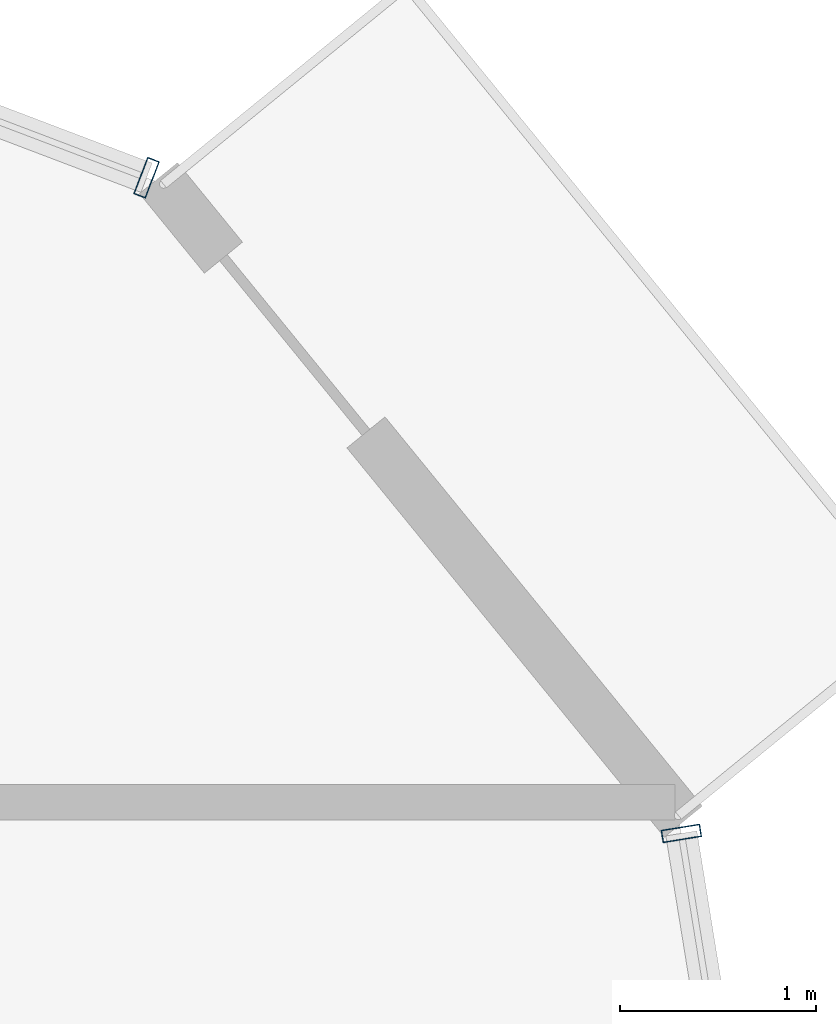
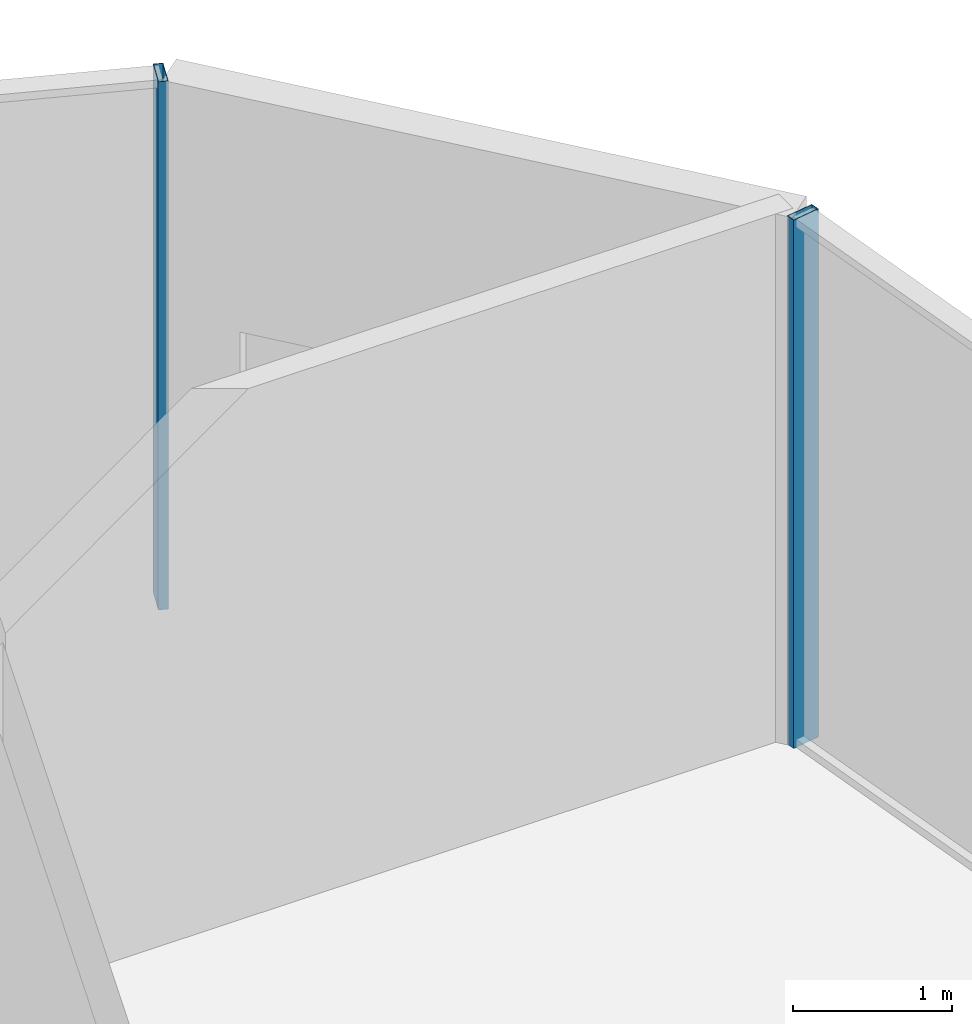
# One storey, part 20 of 26: 2 members, 2 elements without a shape of their own.
"""IFC4 building model written with IfcOpenShell, lengths in metres."""

from ifc_helpers import new_model, si_unit, direction, frame, origin, origin_2d, place, context, subcontext, project, spatial, hollow_rectangle, extrude, source, transform, mapped, material, layer, layer_set, material_profile, profile_set, type_object, element, aggregate, save


model = new_model("IFC4")

# Units and contexts
model_context = context("Model", 3, precision=1e-05, world=origin(), true_north=direction((0.0, 1.0)))
body_context = subcontext(model_context, "Body", "Model", "MODEL_VIEW")
ifc_project = project(units=[si_unit("LENGTHUNIT", "METRE"), si_unit("AREAUNIT", "SQUARE_METRE"), si_unit("VOLUMEUNIT", "CUBIC_METRE"), si_unit("PLANEANGLEUNIT", "RADIAN"), si_unit("MASSUNIT", "GRAM", prefix="KILO")], contexts=[model_context])

# Site, building, storey
site_placement = place(None, origin())
site = spatial("IfcSite", under=ifc_project, at=site_placement, CompositionType="ELEMENT")
building_placement = place(site_placement, origin())
building = spatial("IfcBuilding", under=site, at=building_placement, Name="Veraguas Prism Commons", CompositionType="ELEMENT")
storey_placement = place(building_placement, frame((0.0, 0.0, 158.75)))
storey = spatial("IfcBuildingStorey", under=building, at=storey_placement, Name="L45", CompositionType="ELEMENT", Elevation=158.75)

# Curtain wall, member
ifc_material = material(Name="Anodised aluminium EN AW-6063 T6", Category="aluminium")
ifc_layer = layer(ifc_material, 0.199951171875, Name="Sky Lobby and Pool Acoustic Curtain Wall", Category="aluminium")
ifc_layer_set = layer_set([ifc_layer], Name="Anodised aluminium EN AW-6063 T6")
curtain_wall_type = type_object("IfcCurtainWallType", Name="Sky Lobby and Pool Acoustic Curtain Wall", PredefinedType="NOTDEFINED", material=ifc_layer_set)
curtain_wall_1_placement = place(storey_placement, origin())
curtain_wall_1 = element("IfcCurtainWall", 1, at=curtain_wall_1_placement, inside=storey, type_object=curtain_wall_type, Name="Tower Facade Curtain Wall L45-F1", PredefinedType="NOTDEFINED")
ifc_material_profile = material_profile(ifc_material, hollow_rectangle(XDim=0.06494140625, YDim=0.199951171875, WallThickness=0.00390625, at=origin_2d()), Name="AL65X200X4")
ifc_profile_set = profile_set([ifc_material_profile], Name="Anodised aluminium EN AW-6063 T6")
member_type = type_object("IfcMemberType", Name="Curtain Wall Mullion Heavy AL 65x200x4", PredefinedType="MULLION", material=ifc_profile_set)
shared_shape = source(origin(), body_context, "Body", "SweptSolid", [
    extrude(hollow_rectangle(XDim=0.06494140625, YDim=0.199951171875, WallThickness=0.00390625, at=origin_2d()), origin(), (0.0, 0.0, 1.0), 4.050048828125),
])
member_1_placement = place(storey_placement, frame((38.8369140625, 38.8837890625, 0.0), z_axis=(0.0, 0.0, 1.0), x_axis=(-0.934824436833, 0.355110225563, 0.0)))
member_1 = element("IfcMember", 2, at=member_1_placement, type_object=member_type, Name="CW-SKY Mullion 1", PredefinedType="MULLION", context=body_context, shape_type="MappedRepresentation", body=[
    mapped(shared_shape, transform((0.0, 0.0, 0.0), scale=1.0)),
])
aggregate(curtain_wall_1, [member_1])

curtain_wall_2_placement = place(storey_placement, origin())
curtain_wall_2 = element("IfcCurtainWall", 3, at=curtain_wall_2_placement, inside=storey, type_object=curtain_wall_type, Name="Tower Facade Curtain Wall L45-F6", PredefinedType="NOTDEFINED")
member_2_placement = place(storey_placement, frame((41.563232421875, 35.541259765625, 0.0), z_axis=(0.0, 0.0, 1.0), x_axis=(-0.159877741935, 0.987136823158, 0.0)))
member_2 = element("IfcMember", 4, at=member_2_placement, type_object=member_type, Name="CW-SKY Mullion 5", PredefinedType="MULLION", context=body_context, shape_type="MappedRepresentation", body=[
    mapped(shared_shape, transform((0.0, 0.0, 0.0), scale=1.0)),
])
aggregate(curtain_wall_2, [member_2])

save(model, "model.ifc")
